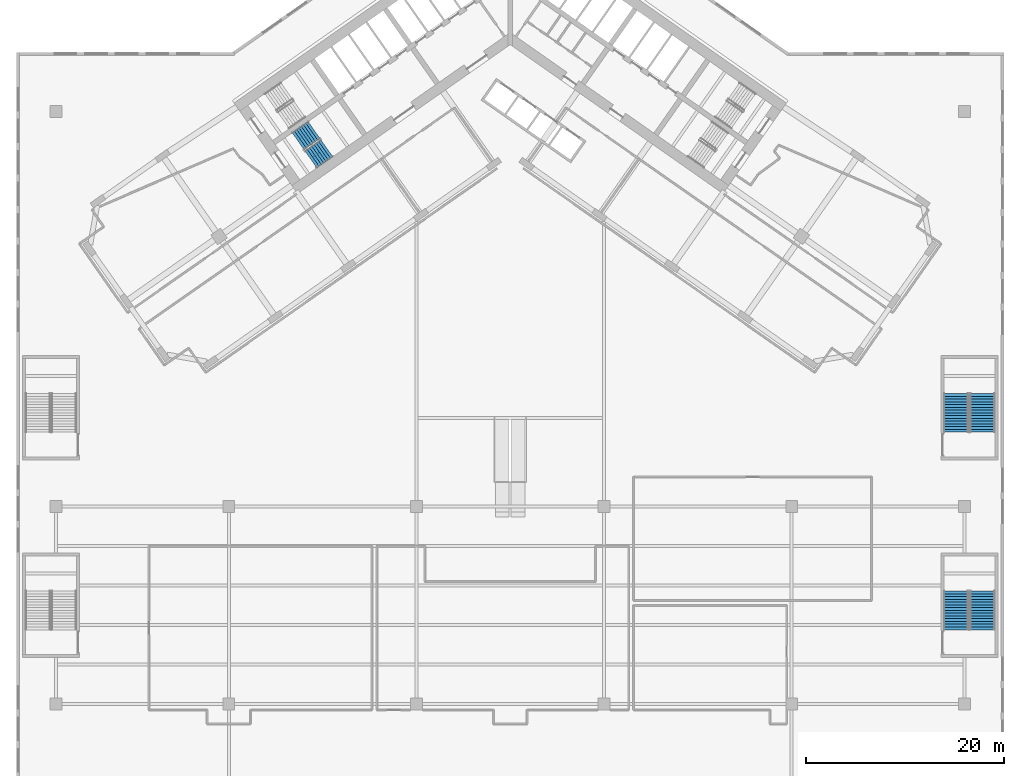
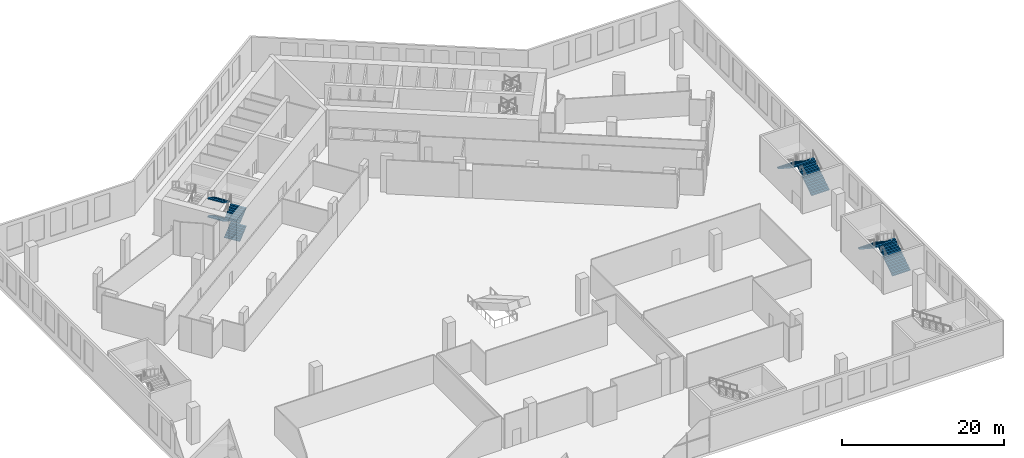
# One storey, part 15 of 26: 8 stair flights, 3 elements without a shape of their own.
"""IFC4 building model written with IfcOpenShell, lengths in metres."""

from ifc_helpers import new_model, si_unit, direction, frame, origin, place, context, subcontext, project, spatial, polyline, outline, extrude, material, type_object, element, aggregate, save


model = new_model("IFC4")

# Units and contexts
model_context = context("Model", 3, precision=1e-05, world=origin(), true_north=direction((0.0, 1.0)))
body_context = subcontext(model_context, "Body", "Model", "MODEL_VIEW")
ifc_project = project(units=[si_unit("LENGTHUNIT", "METRE"), si_unit("AREAUNIT", "SQUARE_METRE"), si_unit("VOLUMEUNIT", "CUBIC_METRE"), si_unit("PLANEANGLEUNIT", "RADIAN"), si_unit("MASSUNIT", "GRAM", prefix="KILO")], contexts=[model_context])

# Site, building, storey
site_placement = place(None, origin())
site = spatial("IfcSite", under=ifc_project, at=site_placement, CompositionType="ELEMENT")
building_placement = place(site_placement, origin())
building = spatial("IfcBuilding", under=site, at=building_placement, Name="Tel Ilan Convention Tower", CompositionType="ELEMENT")
storey_placement = place(building_placement, frame((0.0, 0.0, 37.5)))
storey = spatial("IfcBuildingStorey", under=building, at=storey_placement, Name="L05", CompositionType="ELEMENT", Elevation=37.5)

# Stair, stair flights
ifc_material_1 = material(Name="Concrete C40/50", Category="concrete")
stair_type_1 = type_object("IfcStairType", Name="Pressurised Exit Stair 32 risers 172 mm", PredefinedType="HALF_TURN_STAIR", material=ifc_material_1)
stair_1_placement = place(storey_placement, origin())
stair_1 = element("IfcStair", 1, at=stair_1_placement, inside=storey, type_object=stair_type_1, Name="L05 Pressurised Stair S2", PredefinedType="HALF_TURN_STAIR")
ifc_material_2 = material(Name="Precast Concrete C40/50", Category="concrete")
stair_flight_type_1 = type_object("IfcStairFlightType", Name="Concrete Stair Flight 2100 mm 32 risers 172 mm", PredefinedType="STRAIGHT", material=ifc_material_2)
stair_flight_1_placement = place(storey_placement, frame((-20.179931640625, -12.848388671875, 0.0), z_axis=(0.0, 0.0, 1.0), x_axis=(0.819152044289, 0.573576436351, 0.0)))
stair_flight_1 = element("IfcStairFlight", 2, at=stair_flight_1_placement, type_object=stair_flight_type_1, Name="S2 flight 1", NumberOfRisers=8, NumberOfTreads=7, PredefinedType="STRAIGHT", RiserHeight=0.171875, TreadLength=0.28, context=body_context, shape_type="SweptSolid", body=[
    extrude(outline(polyline([(0.0, 0.0), (0.0, 0.171875), (0.280029296875, 0.171875), (0.280029296875, 0.34375), (0.56005859375, 0.34375), (0.56005859375, 0.515625), (0.840087890625, 0.515625), (0.840087890625, 0.6875), (1.1201171875, 0.6875), (1.1201171875, 0.859375), (1.39990234375, 0.859375), (1.39990234375, 1.03125), (1.679931640625, 1.03125), (1.679931640625, 1.203125), (1.9599609375, 1.203125), (1.9599609375, 1.375), (1.9599609375, 1.02734375), (0.28662109375, 0.0), (0.0, 0.0)])), frame((0.0, -0.100341796875, 0.0), z_axis=(0.0, -1.0, 0.0), x_axis=(1.0, 0.0, 0.0)), (0.0, 0.0, 1.0), 0.94970703125),
    extrude(outline(polyline([(0.0, 0.0), (0.0, 0.171875), (0.280029296875, 0.171875), (0.280029296875, 0.34375), (0.56005859375, 0.34375), (0.56005859375, 0.515625), (0.840087890625, 0.515625), (0.840087890625, 0.6875), (1.1201171875, 0.6875), (1.1201171875, 0.859375), (1.39990234375, 0.859375), (1.39990234375, 1.03125), (1.679931640625, 1.03125), (1.679931640625, 1.203125), (1.9599609375, 1.203125), (1.9599609375, 1.375), (1.9599609375, 1.02734375), (0.28662109375, 0.0), (0.0, 0.0)])), frame((0.0, -0.000244140625, 0.0), z_axis=(0.0, -1.0, 0.0), x_axis=(1.0, 0.0, 0.0)), (0.0, 0.0, 1.0), 0.099609375),
    extrude(outline(polyline([(0.0, 0.0), (0.0, 0.171875), (0.280029296875, 0.171875), (0.280029296875, 0.34375), (0.56005859375, 0.34375), (0.56005859375, 0.515625), (0.840087890625, 0.515625), (0.840087890625, 0.6875), (1.1201171875, 0.6875), (1.1201171875, 0.859375), (1.39990234375, 0.859375), (1.39990234375, 1.03125), (1.679931640625, 1.03125), (1.679931640625, 1.203125), (1.9599609375, 1.203125), (1.9599609375, 1.375), (1.9599609375, 1.02734375), (0.28662109375, 0.0), (0.0, 0.0)])), frame((0.0, 0.099853515625, 0.0), z_axis=(0.0, -1.0, 0.0), x_axis=(1.0, 0.0, 0.0)), (0.0, 0.0, 1.0), 0.099609375),
    extrude(outline(polyline([(0.0, 0.0), (0.0, 0.171875), (0.280029296875, 0.171875), (0.280029296875, 0.34375), (0.56005859375, 0.34375), (0.56005859375, 0.515625), (0.840087890625, 0.515625), (0.840087890625, 0.6875), (1.1201171875, 0.6875), (1.1201171875, 0.859375), (1.39990234375, 0.859375), (1.39990234375, 1.03125), (1.679931640625, 1.03125), (1.679931640625, 1.203125), (1.9599609375, 1.203125), (1.9599609375, 1.375), (1.9599609375, 1.02734375), (0.28662109375, 0.0), (0.0, 0.0)])), frame((0.0, 1.050048828125, 0.0), z_axis=(0.0, -1.0, 0.0), x_axis=(1.0, 0.0, 0.0)), (0.0, 0.0, 1.0), 0.94970703125),
])
stair_flight_2_placement = place(storey_placement, frame((-19.864990234375, -9.881103515625, 1.375), z_axis=(0.0, 0.0, 1.0), x_axis=(-0.819152044289, -0.573576436351, 0.0)))
stair_flight_2 = element("IfcStairFlight", 3, at=stair_flight_2_placement, type_object=stair_flight_type_1, Name="S2 flight 2", NumberOfRisers=8, NumberOfTreads=7, PredefinedType="STRAIGHT", RiserHeight=0.171875, TreadLength=0.28, context=body_context, shape_type="SweptSolid", body=[
    extrude(outline(polyline([(0.0, 0.0), (0.0, 0.171875), (0.280029296875, 0.171875), (0.280029296875, 0.34375), (0.56005859375, 0.34375), (0.56005859375, 0.515625), (0.840087890625, 0.515625), (0.840087890625, 0.6875), (1.1201171875, 0.6875), (1.1201171875, 0.859375), (1.39990234375, 0.859375), (1.39990234375, 1.03125), (1.679931640625, 1.03125), (1.679931640625, 1.203125), (1.9599609375, 1.203125), (1.9599609375, 1.375), (1.9599609375, 1.02734375), (0.28662109375, 0.0), (0.0, 0.0)])), frame((0.0, -0.100341796875, 0.0), z_axis=(0.0, -1.0, 0.0), x_axis=(1.0, 0.0, 0.0)), (0.0, 0.0, 1.0), 0.94970703125),
    extrude(outline(polyline([(0.0, 0.0), (0.0, 0.171875), (0.280029296875, 0.171875), (0.280029296875, 0.34375), (0.56005859375, 0.34375), (0.56005859375, 0.515625), (0.840087890625, 0.515625), (0.840087890625, 0.6875), (1.1201171875, 0.6875), (1.1201171875, 0.859375), (1.39990234375, 0.859375), (1.39990234375, 1.03125), (1.679931640625, 1.03125), (1.679931640625, 1.203125), (1.9599609375, 1.203125), (1.9599609375, 1.375), (1.9599609375, 1.02734375), (0.28662109375, 0.0), (0.0, 0.0)])), frame((0.0, -0.000244140625, 0.0), z_axis=(0.0, -1.0, 0.0), x_axis=(1.0, 0.0, 0.0)), (0.0, 0.0, 1.0), 0.099609375),
    extrude(outline(polyline([(0.0, 0.0), (0.0, 0.171875), (0.280029296875, 0.171875), (0.280029296875, 0.34375), (0.56005859375, 0.34375), (0.56005859375, 0.515625), (0.840087890625, 0.515625), (0.840087890625, 0.6875), (1.1201171875, 0.6875), (1.1201171875, 0.859375), (1.39990234375, 0.859375), (1.39990234375, 1.03125), (1.679931640625, 1.03125), (1.679931640625, 1.203125), (1.9599609375, 1.203125), (1.9599609375, 1.375), (1.9599609375, 1.02734375), (0.28662109375, 0.0), (0.0, 0.0)])), frame((0.0, 0.099853515625, 0.0), z_axis=(0.0, -1.0, 0.0), x_axis=(1.0, 0.0, 0.0)), (0.0, 0.0, 1.0), 0.099609375),
    extrude(outline(polyline([(0.0, 0.0), (0.0, 0.171875), (0.280029296875, 0.171875), (0.280029296875, 0.34375), (0.56005859375, 0.34375), (0.56005859375, 0.515625), (0.840087890625, 0.515625), (0.840087890625, 0.6875), (1.1201171875, 0.6875), (1.1201171875, 0.859375), (1.39990234375, 0.859375), (1.39990234375, 1.03125), (1.679931640625, 1.03125), (1.679931640625, 1.203125), (1.9599609375, 1.203125), (1.9599609375, 1.375), (1.9599609375, 1.02734375), (0.28662109375, 0.0), (0.0, 0.0)])), frame((0.0, 1.050048828125, 0.0), z_axis=(0.0, -1.0, 0.0), x_axis=(1.0, 0.0, 0.0)), (0.0, 0.0, 1.0), 0.94970703125),
])
stair_flight_3_placement = place(storey_placement, frame((-20.179931640625, -12.848388671875, 2.75), z_axis=(0.0, 0.0, 1.0), x_axis=(0.819152044289, 0.573576436351, 0.0)))
stair_flight_3 = element("IfcStairFlight", 4, at=stair_flight_3_placement, type_object=stair_flight_type_1, Name="S2 flight 3", NumberOfRisers=8, NumberOfTreads=7, PredefinedType="STRAIGHT", RiserHeight=0.171875, TreadLength=0.28, context=body_context, shape_type="SweptSolid", body=[
    extrude(outline(polyline([(0.0, 0.0), (0.0, 0.171875), (0.280029296875, 0.171875), (0.280029296875, 0.34375), (0.56005859375, 0.34375), (0.56005859375, 0.515625), (0.840087890625, 0.515625), (0.840087890625, 0.6875), (1.1201171875, 0.6875), (1.1201171875, 0.859375), (1.39990234375, 0.859375), (1.39990234375, 1.03125), (1.679931640625, 1.03125), (1.679931640625, 1.203125), (1.9599609375, 1.203125), (1.9599609375, 1.375), (1.9599609375, 1.02734375), (0.28662109375, 0.0), (0.0, 0.0)])), frame((0.0, -0.100341796875, 0.0), z_axis=(0.0, -1.0, 0.0), x_axis=(1.0, 0.0, 0.0)), (0.0, 0.0, 1.0), 0.94970703125),
    extrude(outline(polyline([(0.0, 0.0), (0.0, 0.171875), (0.280029296875, 0.171875), (0.280029296875, 0.34375), (0.56005859375, 0.34375), (0.56005859375, 0.515625), (0.840087890625, 0.515625), (0.840087890625, 0.6875), (1.1201171875, 0.6875), (1.1201171875, 0.859375), (1.39990234375, 0.859375), (1.39990234375, 1.03125), (1.679931640625, 1.03125), (1.679931640625, 1.203125), (1.9599609375, 1.203125), (1.9599609375, 1.375), (1.9599609375, 1.02734375), (0.28662109375, 0.0), (0.0, 0.0)])), frame((0.0, -0.000244140625, 0.0), z_axis=(0.0, -1.0, 0.0), x_axis=(1.0, 0.0, 0.0)), (0.0, 0.0, 1.0), 0.099609375),
    extrude(outline(polyline([(0.0, 0.0), (0.0, 0.171875), (0.280029296875, 0.171875), (0.280029296875, 0.34375), (0.56005859375, 0.34375), (0.56005859375, 0.515625), (0.840087890625, 0.515625), (0.840087890625, 0.6875), (1.1201171875, 0.6875), (1.1201171875, 0.859375), (1.39990234375, 0.859375), (1.39990234375, 1.03125), (1.679931640625, 1.03125), (1.679931640625, 1.203125), (1.9599609375, 1.203125), (1.9599609375, 1.375), (1.9599609375, 1.02734375), (0.28662109375, 0.0), (0.0, 0.0)])), frame((0.0, 0.099853515625, 0.0), z_axis=(0.0, -1.0, 0.0), x_axis=(1.0, 0.0, 0.0)), (0.0, 0.0, 1.0), 0.099609375),
    extrude(outline(polyline([(0.0, 0.0), (0.0, 0.171875), (0.280029296875, 0.171875), (0.280029296875, 0.34375), (0.56005859375, 0.34375), (0.56005859375, 0.515625), (0.840087890625, 0.515625), (0.840087890625, 0.6875), (1.1201171875, 0.6875), (1.1201171875, 0.859375), (1.39990234375, 0.859375), (1.39990234375, 1.03125), (1.679931640625, 1.03125), (1.679931640625, 1.203125), (1.9599609375, 1.203125), (1.9599609375, 1.375), (1.9599609375, 1.02734375), (0.28662109375, 0.0), (0.0, 0.0)])), frame((0.0, 1.050048828125, 0.0), z_axis=(0.0, -1.0, 0.0), x_axis=(1.0, 0.0, 0.0)), (0.0, 0.0, 1.0), 0.94970703125),
])
stair_flight_4_placement = place(storey_placement, frame((-19.864990234375, -9.881103515625, 4.125), z_axis=(0.0, 0.0, 1.0), x_axis=(-0.819152044289, -0.573576436351, 0.0)))
stair_flight_4 = element("IfcStairFlight", 5, at=stair_flight_4_placement, type_object=stair_flight_type_1, Name="S2 flight 4", NumberOfRisers=8, NumberOfTreads=7, PredefinedType="STRAIGHT", RiserHeight=0.171875, TreadLength=0.28, context=body_context, shape_type="SweptSolid", body=[
    extrude(outline(polyline([(0.0, 0.0), (0.0, 0.171875), (0.280029296875, 0.171875), (0.280029296875, 0.34375), (0.56005859375, 0.34375), (0.56005859375, 0.515625), (0.840087890625, 0.515625), (0.840087890625, 0.6875), (1.1201171875, 0.6875), (1.1201171875, 0.859375), (1.39990234375, 0.859375), (1.39990234375, 1.03125), (1.679931640625, 1.03125), (1.679931640625, 1.203125), (1.9599609375, 1.203125), (1.9599609375, 1.375), (1.9599609375, 1.02734375), (0.28662109375, 0.0), (0.0, 0.0)])), frame((0.0, -0.100341796875, 0.0), z_axis=(0.0, -1.0, 0.0), x_axis=(1.0, 0.0, 0.0)), (0.0, 0.0, 1.0), 0.94970703125),
    extrude(outline(polyline([(0.0, 0.0), (0.0, 0.171875), (0.280029296875, 0.171875), (0.280029296875, 0.34375), (0.56005859375, 0.34375), (0.56005859375, 0.515625), (0.840087890625, 0.515625), (0.840087890625, 0.6875), (1.1201171875, 0.6875), (1.1201171875, 0.859375), (1.39990234375, 0.859375), (1.39990234375, 1.03125), (1.679931640625, 1.03125), (1.679931640625, 1.203125), (1.9599609375, 1.203125), (1.9599609375, 1.375), (1.9599609375, 1.02734375), (0.28662109375, 0.0), (0.0, 0.0)])), frame((0.0, -0.000244140625, 0.0), z_axis=(0.0, -1.0, 0.0), x_axis=(1.0, 0.0, 0.0)), (0.0, 0.0, 1.0), 0.099609375),
    extrude(outline(polyline([(0.0, 0.0), (0.0, 0.171875), (0.280029296875, 0.171875), (0.280029296875, 0.34375), (0.56005859375, 0.34375), (0.56005859375, 0.515625), (0.840087890625, 0.515625), (0.840087890625, 0.6875), (1.1201171875, 0.6875), (1.1201171875, 0.859375), (1.39990234375, 0.859375), (1.39990234375, 1.03125), (1.679931640625, 1.03125), (1.679931640625, 1.203125), (1.9599609375, 1.203125), (1.9599609375, 1.375), (1.9599609375, 1.02734375), (0.28662109375, 0.0), (0.0, 0.0)])), frame((0.0, 0.099853515625, 0.0), z_axis=(0.0, -1.0, 0.0), x_axis=(1.0, 0.0, 0.0)), (0.0, 0.0, 1.0), 0.099609375),
    extrude(outline(polyline([(0.0, 0.0), (0.0, 0.171875), (0.280029296875, 0.171875), (0.280029296875, 0.34375), (0.56005859375, 0.34375), (0.56005859375, 0.515625), (0.840087890625, 0.515625), (0.840087890625, 0.6875), (1.1201171875, 0.6875), (1.1201171875, 0.859375), (1.39990234375, 0.859375), (1.39990234375, 1.03125), (1.679931640625, 1.03125), (1.679931640625, 1.203125), (1.9599609375, 1.203125), (1.9599609375, 1.375), (1.9599609375, 1.02734375), (0.28662109375, 0.0), (0.0, 0.0)])), frame((0.0, 1.050048828125, 0.0), z_axis=(0.0, -1.0, 0.0), x_axis=(1.0, 0.0, 0.0)), (0.0, 0.0, 1.0), 0.94970703125),
])
aggregate(stair_1, [stair_flight_1, stair_flight_2, stair_flight_3, stair_flight_4])

ifc_material_3 = material(Name="Concrete C40/50", Category="concrete")
stair_type_2 = type_object("IfcStairType", Name="Pressurised Exit Stair 30 risers 183 mm", PredefinedType="HALF_TURN_STAIR", material=ifc_material_3)
stair_2_placement = place(storey_placement, origin())
stair_2 = element("IfcStair", 6, at=stair_2_placement, inside=storey, type_object=stair_type_2, Name="L05 Podium Exit Stair P6", PredefinedType="HALF_TURN_STAIR")
ifc_material_4 = material(Name="Precast Concrete C40/50", Category="concrete")
stair_flight_type_2 = type_object("IfcStairFlightType", Name="Concrete Stair Flight 2525 mm 30 risers 183 mm", PredefinedType="STRAIGHT", material=ifc_material_4)
stair_flight_5_placement = place(storey_placement, frame((47.83740234375, -60.47509765625, 0.0), z_axis=(0.0, 0.0, 1.0), x_axis=(0.0, 1.0, 0.0)))
stair_flight_5 = element("IfcStairFlight", 7, at=stair_flight_5_placement, type_object=stair_flight_type_2, Name="P6 flight 1", NumberOfRisers=15, NumberOfTreads=14, PredefinedType="STRAIGHT", RiserHeight=0.183333333, TreadLength=0.28, context=body_context, shape_type="SweptSolid", body=[
    extrude(outline(polyline([(0.0, 0.0), (0.0, 0.183349609375), (0.280029296875, 0.183349609375), (0.280029296875, 0.36669921875), (0.56005859375, 0.36669921875), (0.56005859375, 0.550048828125), (0.840087890625, 0.550048828125), (0.840087890625, 0.7333984375), (1.1201171875, 0.7333984375), (1.1201171875, 0.916748046875), (1.39990234375, 0.916748046875), (1.39990234375, 1.10009765625), (1.679931640625, 1.10009765625), (1.679931640625, 1.283447265625), (1.9599609375, 1.283447265625), (1.9599609375, 1.466552734375), (2.239990234375, 1.466552734375), (2.239990234375, 1.64990234375), (2.52001953125, 1.64990234375), (2.52001953125, 1.833251953125), (2.800048828125, 1.833251953125), (2.800048828125, 2.0166015625), (3.080078125, 2.0166015625), (3.080078125, 2.199951171875), (3.360107421875, 2.199951171875), (3.360107421875, 2.38330078125), (3.639892578125, 2.38330078125), (3.639892578125, 2.566650390625), (3.919921875, 2.566650390625), (3.919921875, 2.75), (3.919921875, 2.387451171875), (0.273681640625, 0.0), (0.0, 0.0)])), frame((0.0, -0.100341796875, 0.0), z_axis=(0.0, -1.0, 0.0), x_axis=(1.0, 0.0, 0.0)), (0.0, 0.0, 1.0), 1.162109375),
    extrude(outline(polyline([(0.0, 0.0), (0.0, 0.183349609375), (0.280029296875, 0.183349609375), (0.280029296875, 0.36669921875), (0.56005859375, 0.36669921875), (0.56005859375, 0.550048828125), (0.840087890625, 0.550048828125), (0.840087890625, 0.7333984375), (1.1201171875, 0.7333984375), (1.1201171875, 0.916748046875), (1.39990234375, 0.916748046875), (1.39990234375, 1.10009765625), (1.679931640625, 1.10009765625), (1.679931640625, 1.283447265625), (1.9599609375, 1.283447265625), (1.9599609375, 1.466552734375), (2.239990234375, 1.466552734375), (2.239990234375, 1.64990234375), (2.52001953125, 1.64990234375), (2.52001953125, 1.833251953125), (2.800048828125, 1.833251953125), (2.800048828125, 2.0166015625), (3.080078125, 2.0166015625), (3.080078125, 2.199951171875), (3.360107421875, 2.199951171875), (3.360107421875, 2.38330078125), (3.639892578125, 2.38330078125), (3.639892578125, 2.566650390625), (3.919921875, 2.566650390625), (3.919921875, 2.75), (3.919921875, 2.387451171875), (0.273681640625, 0.0), (0.0, 0.0)])), frame((0.0, -0.000244140625, 0.0), z_axis=(0.0, -1.0, 0.0), x_axis=(1.0, 0.0, 0.0)), (0.0, 0.0, 1.0), 0.099609375),
    extrude(outline(polyline([(0.0, 0.0), (0.0, 0.183349609375), (0.280029296875, 0.183349609375), (0.280029296875, 0.36669921875), (0.56005859375, 0.36669921875), (0.56005859375, 0.550048828125), (0.840087890625, 0.550048828125), (0.840087890625, 0.7333984375), (1.1201171875, 0.7333984375), (1.1201171875, 0.916748046875), (1.39990234375, 0.916748046875), (1.39990234375, 1.10009765625), (1.679931640625, 1.10009765625), (1.679931640625, 1.283447265625), (1.9599609375, 1.283447265625), (1.9599609375, 1.466552734375), (2.239990234375, 1.466552734375), (2.239990234375, 1.64990234375), (2.52001953125, 1.64990234375), (2.52001953125, 1.833251953125), (2.800048828125, 1.833251953125), (2.800048828125, 2.0166015625), (3.080078125, 2.0166015625), (3.080078125, 2.199951171875), (3.360107421875, 2.199951171875), (3.360107421875, 2.38330078125), (3.639892578125, 2.38330078125), (3.639892578125, 2.566650390625), (3.919921875, 2.566650390625), (3.919921875, 2.75), (3.919921875, 2.387451171875), (0.273681640625, 0.0), (0.0, 0.0)])), frame((0.0, 0.099853515625, 0.0), z_axis=(0.0, -1.0, 0.0), x_axis=(1.0, 0.0, 0.0)), (0.0, 0.0, 1.0), 0.099609375),
    extrude(outline(polyline([(0.0, 0.0), (0.0, 0.183349609375), (0.280029296875, 0.183349609375), (0.280029296875, 0.36669921875), (0.56005859375, 0.36669921875), (0.56005859375, 0.550048828125), (0.840087890625, 0.550048828125), (0.840087890625, 0.7333984375), (1.1201171875, 0.7333984375), (1.1201171875, 0.916748046875), (1.39990234375, 0.916748046875), (1.39990234375, 1.10009765625), (1.679931640625, 1.10009765625), (1.679931640625, 1.283447265625), (1.9599609375, 1.283447265625), (1.9599609375, 1.466552734375), (2.239990234375, 1.466552734375), (2.239990234375, 1.64990234375), (2.52001953125, 1.64990234375), (2.52001953125, 1.833251953125), (2.800048828125, 1.833251953125), (2.800048828125, 2.0166015625), (3.080078125, 2.0166015625), (3.080078125, 2.199951171875), (3.360107421875, 2.199951171875), (3.360107421875, 2.38330078125), (3.639892578125, 2.38330078125), (3.639892578125, 2.566650390625), (3.919921875, 2.566650390625), (3.919921875, 2.75), (3.919921875, 2.387451171875), (0.273681640625, 0.0), (0.0, 0.0)])), frame((0.0, 1.262451171875, 0.0), z_axis=(0.0, -1.0, 0.0), x_axis=(1.0, 0.0, 0.0)), (0.0, 0.0, 1.0), 1.162109375),
])
stair_flight_6_placement = place(storey_placement, frame((45.16259765625, -56.554931640625, 2.75), z_axis=(0.0, 0.0, 1.0), x_axis=(0.0, -1.0, 0.0)))
stair_flight_6 = element("IfcStairFlight", 8, at=stair_flight_6_placement, type_object=stair_flight_type_2, Name="P6 flight 2", NumberOfRisers=15, NumberOfTreads=14, PredefinedType="STRAIGHT", RiserHeight=0.183333333, TreadLength=0.28, context=body_context, shape_type="SweptSolid", body=[
    extrude(outline(polyline([(0.0, 0.0), (0.0, 0.183349609375), (0.280029296875, 0.183349609375), (0.280029296875, 0.36669921875), (0.56005859375, 0.36669921875), (0.56005859375, 0.550048828125), (0.840087890625, 0.550048828125), (0.840087890625, 0.7333984375), (1.1201171875, 0.7333984375), (1.1201171875, 0.916748046875), (1.39990234375, 0.916748046875), (1.39990234375, 1.10009765625), (1.679931640625, 1.10009765625), (1.679931640625, 1.283447265625), (1.9599609375, 1.283447265625), (1.9599609375, 1.466552734375), (2.239990234375, 1.466552734375), (2.239990234375, 1.64990234375), (2.52001953125, 1.64990234375), (2.52001953125, 1.833251953125), (2.800048828125, 1.833251953125), (2.800048828125, 2.0166015625), (3.080078125, 2.0166015625), (3.080078125, 2.199951171875), (3.360107421875, 2.199951171875), (3.360107421875, 2.38330078125), (3.639892578125, 2.38330078125), (3.639892578125, 2.566650390625), (3.919921875, 2.566650390625), (3.919921875, 2.75), (3.919921875, 2.387451171875), (0.273681640625, 0.0), (0.0, 0.0)])), frame((0.0, -0.100341796875, 0.0), z_axis=(0.0, -1.0, 0.0), x_axis=(1.0, 0.0, 0.0)), (0.0, 0.0, 1.0), 1.162109375),
    extrude(outline(polyline([(0.0, 0.0), (0.0, 0.183349609375), (0.280029296875, 0.183349609375), (0.280029296875, 0.36669921875), (0.56005859375, 0.36669921875), (0.56005859375, 0.550048828125), (0.840087890625, 0.550048828125), (0.840087890625, 0.7333984375), (1.1201171875, 0.7333984375), (1.1201171875, 0.916748046875), (1.39990234375, 0.916748046875), (1.39990234375, 1.10009765625), (1.679931640625, 1.10009765625), (1.679931640625, 1.283447265625), (1.9599609375, 1.283447265625), (1.9599609375, 1.466552734375), (2.239990234375, 1.466552734375), (2.239990234375, 1.64990234375), (2.52001953125, 1.64990234375), (2.52001953125, 1.833251953125), (2.800048828125, 1.833251953125), (2.800048828125, 2.0166015625), (3.080078125, 2.0166015625), (3.080078125, 2.199951171875), (3.360107421875, 2.199951171875), (3.360107421875, 2.38330078125), (3.639892578125, 2.38330078125), (3.639892578125, 2.566650390625), (3.919921875, 2.566650390625), (3.919921875, 2.75), (3.919921875, 2.387451171875), (0.273681640625, 0.0), (0.0, 0.0)])), frame((0.0, -0.000244140625, 0.0), z_axis=(0.0, -1.0, 0.0), x_axis=(1.0, 0.0, 0.0)), (0.0, 0.0, 1.0), 0.099609375),
    extrude(outline(polyline([(0.0, 0.0), (0.0, 0.183349609375), (0.280029296875, 0.183349609375), (0.280029296875, 0.36669921875), (0.56005859375, 0.36669921875), (0.56005859375, 0.550048828125), (0.840087890625, 0.550048828125), (0.840087890625, 0.7333984375), (1.1201171875, 0.7333984375), (1.1201171875, 0.916748046875), (1.39990234375, 0.916748046875), (1.39990234375, 1.10009765625), (1.679931640625, 1.10009765625), (1.679931640625, 1.283447265625), (1.9599609375, 1.283447265625), (1.9599609375, 1.466552734375), (2.239990234375, 1.466552734375), (2.239990234375, 1.64990234375), (2.52001953125, 1.64990234375), (2.52001953125, 1.833251953125), (2.800048828125, 1.833251953125), (2.800048828125, 2.0166015625), (3.080078125, 2.0166015625), (3.080078125, 2.199951171875), (3.360107421875, 2.199951171875), (3.360107421875, 2.38330078125), (3.639892578125, 2.38330078125), (3.639892578125, 2.566650390625), (3.919921875, 2.566650390625), (3.919921875, 2.75), (3.919921875, 2.387451171875), (0.273681640625, 0.0), (0.0, 0.0)])), frame((0.0, 0.099853515625, 0.0), z_axis=(0.0, -1.0, 0.0), x_axis=(1.0, 0.0, 0.0)), (0.0, 0.0, 1.0), 0.099609375),
    extrude(outline(polyline([(0.0, 0.0), (0.0, 0.183349609375), (0.280029296875, 0.183349609375), (0.280029296875, 0.36669921875), (0.56005859375, 0.36669921875), (0.56005859375, 0.550048828125), (0.840087890625, 0.550048828125), (0.840087890625, 0.7333984375), (1.1201171875, 0.7333984375), (1.1201171875, 0.916748046875), (1.39990234375, 0.916748046875), (1.39990234375, 1.10009765625), (1.679931640625, 1.10009765625), (1.679931640625, 1.283447265625), (1.9599609375, 1.283447265625), (1.9599609375, 1.466552734375), (2.239990234375, 1.466552734375), (2.239990234375, 1.64990234375), (2.52001953125, 1.64990234375), (2.52001953125, 1.833251953125), (2.800048828125, 1.833251953125), (2.800048828125, 2.0166015625), (3.080078125, 2.0166015625), (3.080078125, 2.199951171875), (3.360107421875, 2.199951171875), (3.360107421875, 2.38330078125), (3.639892578125, 2.38330078125), (3.639892578125, 2.566650390625), (3.919921875, 2.566650390625), (3.919921875, 2.75), (3.919921875, 2.387451171875), (0.273681640625, 0.0), (0.0, 0.0)])), frame((0.0, 1.262451171875, 0.0), z_axis=(0.0, -1.0, 0.0), x_axis=(1.0, 0.0, 0.0)), (0.0, 0.0, 1.0), 1.162109375),
])
aggregate(stair_2, [stair_flight_5, stair_flight_6])

stair_3_placement = place(storey_placement, origin())
stair_3 = element("IfcStair", 9, at=stair_3_placement, inside=storey, type_object=stair_type_2, Name="L05 Podium Exit Stair P8", PredefinedType="HALF_TURN_STAIR")
stair_flight_7_placement = place(storey_placement, frame((47.83740234375, -40.47509765625, 0.0), z_axis=(0.0, 0.0, 1.0), x_axis=(0.0, 1.0, 0.0)))
stair_flight_7 = element("IfcStairFlight", 10, at=stair_flight_7_placement, type_object=stair_flight_type_2, Name="P8 flight 1", NumberOfRisers=15, NumberOfTreads=14, PredefinedType="STRAIGHT", RiserHeight=0.183333333, TreadLength=0.28, context=body_context, shape_type="SweptSolid", body=[
    extrude(outline(polyline([(0.0, 0.0), (0.0, 0.183349609375), (0.280029296875, 0.183349609375), (0.280029296875, 0.36669921875), (0.56005859375, 0.36669921875), (0.56005859375, 0.550048828125), (0.840087890625, 0.550048828125), (0.840087890625, 0.7333984375), (1.1201171875, 0.7333984375), (1.1201171875, 0.916748046875), (1.39990234375, 0.916748046875), (1.39990234375, 1.10009765625), (1.679931640625, 1.10009765625), (1.679931640625, 1.283447265625), (1.9599609375, 1.283447265625), (1.9599609375, 1.466552734375), (2.239990234375, 1.466552734375), (2.239990234375, 1.64990234375), (2.52001953125, 1.64990234375), (2.52001953125, 1.833251953125), (2.800048828125, 1.833251953125), (2.800048828125, 2.0166015625), (3.080078125, 2.0166015625), (3.080078125, 2.199951171875), (3.360107421875, 2.199951171875), (3.360107421875, 2.38330078125), (3.639892578125, 2.38330078125), (3.639892578125, 2.566650390625), (3.919921875, 2.566650390625), (3.919921875, 2.75), (3.919921875, 2.387451171875), (0.273681640625, 0.0), (0.0, 0.0)])), frame((0.0, -0.100341796875, 0.0), z_axis=(0.0, -1.0, 0.0), x_axis=(1.0, 0.0, 0.0)), (0.0, 0.0, 1.0), 1.162109375),
    extrude(outline(polyline([(0.0, 0.0), (0.0, 0.183349609375), (0.280029296875, 0.183349609375), (0.280029296875, 0.36669921875), (0.56005859375, 0.36669921875), (0.56005859375, 0.550048828125), (0.840087890625, 0.550048828125), (0.840087890625, 0.7333984375), (1.1201171875, 0.7333984375), (1.1201171875, 0.916748046875), (1.39990234375, 0.916748046875), (1.39990234375, 1.10009765625), (1.679931640625, 1.10009765625), (1.679931640625, 1.283447265625), (1.9599609375, 1.283447265625), (1.9599609375, 1.466552734375), (2.239990234375, 1.466552734375), (2.239990234375, 1.64990234375), (2.52001953125, 1.64990234375), (2.52001953125, 1.833251953125), (2.800048828125, 1.833251953125), (2.800048828125, 2.0166015625), (3.080078125, 2.0166015625), (3.080078125, 2.199951171875), (3.360107421875, 2.199951171875), (3.360107421875, 2.38330078125), (3.639892578125, 2.38330078125), (3.639892578125, 2.566650390625), (3.919921875, 2.566650390625), (3.919921875, 2.75), (3.919921875, 2.387451171875), (0.273681640625, 0.0), (0.0, 0.0)])), frame((0.0, -0.000244140625, 0.0), z_axis=(0.0, -1.0, 0.0), x_axis=(1.0, 0.0, 0.0)), (0.0, 0.0, 1.0), 0.099609375),
    extrude(outline(polyline([(0.0, 0.0), (0.0, 0.183349609375), (0.280029296875, 0.183349609375), (0.280029296875, 0.36669921875), (0.56005859375, 0.36669921875), (0.56005859375, 0.550048828125), (0.840087890625, 0.550048828125), (0.840087890625, 0.7333984375), (1.1201171875, 0.7333984375), (1.1201171875, 0.916748046875), (1.39990234375, 0.916748046875), (1.39990234375, 1.10009765625), (1.679931640625, 1.10009765625), (1.679931640625, 1.283447265625), (1.9599609375, 1.283447265625), (1.9599609375, 1.466552734375), (2.239990234375, 1.466552734375), (2.239990234375, 1.64990234375), (2.52001953125, 1.64990234375), (2.52001953125, 1.833251953125), (2.800048828125, 1.833251953125), (2.800048828125, 2.0166015625), (3.080078125, 2.0166015625), (3.080078125, 2.199951171875), (3.360107421875, 2.199951171875), (3.360107421875, 2.38330078125), (3.639892578125, 2.38330078125), (3.639892578125, 2.566650390625), (3.919921875, 2.566650390625), (3.919921875, 2.75), (3.919921875, 2.387451171875), (0.273681640625, 0.0), (0.0, 0.0)])), frame((0.0, 0.099853515625, 0.0), z_axis=(0.0, -1.0, 0.0), x_axis=(1.0, 0.0, 0.0)), (0.0, 0.0, 1.0), 0.099609375),
    extrude(outline(polyline([(0.0, 0.0), (0.0, 0.183349609375), (0.280029296875, 0.183349609375), (0.280029296875, 0.36669921875), (0.56005859375, 0.36669921875), (0.56005859375, 0.550048828125), (0.840087890625, 0.550048828125), (0.840087890625, 0.7333984375), (1.1201171875, 0.7333984375), (1.1201171875, 0.916748046875), (1.39990234375, 0.916748046875), (1.39990234375, 1.10009765625), (1.679931640625, 1.10009765625), (1.679931640625, 1.283447265625), (1.9599609375, 1.283447265625), (1.9599609375, 1.466552734375), (2.239990234375, 1.466552734375), (2.239990234375, 1.64990234375), (2.52001953125, 1.64990234375), (2.52001953125, 1.833251953125), (2.800048828125, 1.833251953125), (2.800048828125, 2.0166015625), (3.080078125, 2.0166015625), (3.080078125, 2.199951171875), (3.360107421875, 2.199951171875), (3.360107421875, 2.38330078125), (3.639892578125, 2.38330078125), (3.639892578125, 2.566650390625), (3.919921875, 2.566650390625), (3.919921875, 2.75), (3.919921875, 2.387451171875), (0.273681640625, 0.0), (0.0, 0.0)])), frame((0.0, 1.262451171875, 0.0), z_axis=(0.0, -1.0, 0.0), x_axis=(1.0, 0.0, 0.0)), (0.0, 0.0, 1.0), 1.162109375),
])
stair_flight_8_placement = place(storey_placement, frame((45.16259765625, -36.554931640625, 2.75), z_axis=(0.0, 0.0, 1.0), x_axis=(0.0, -1.0, 0.0)))
stair_flight_8 = element("IfcStairFlight", 11, at=stair_flight_8_placement, type_object=stair_flight_type_2, Name="P8 flight 2", NumberOfRisers=15, NumberOfTreads=14, PredefinedType="STRAIGHT", RiserHeight=0.183333333, TreadLength=0.28, context=body_context, shape_type="SweptSolid", body=[
    extrude(outline(polyline([(0.0, 0.0), (0.0, 0.183349609375), (0.280029296875, 0.183349609375), (0.280029296875, 0.36669921875), (0.56005859375, 0.36669921875), (0.56005859375, 0.550048828125), (0.840087890625, 0.550048828125), (0.840087890625, 0.7333984375), (1.1201171875, 0.7333984375), (1.1201171875, 0.916748046875), (1.39990234375, 0.916748046875), (1.39990234375, 1.10009765625), (1.679931640625, 1.10009765625), (1.679931640625, 1.283447265625), (1.9599609375, 1.283447265625), (1.9599609375, 1.466552734375), (2.239990234375, 1.466552734375), (2.239990234375, 1.64990234375), (2.52001953125, 1.64990234375), (2.52001953125, 1.833251953125), (2.800048828125, 1.833251953125), (2.800048828125, 2.0166015625), (3.080078125, 2.0166015625), (3.080078125, 2.199951171875), (3.360107421875, 2.199951171875), (3.360107421875, 2.38330078125), (3.639892578125, 2.38330078125), (3.639892578125, 2.566650390625), (3.919921875, 2.566650390625), (3.919921875, 2.75), (3.919921875, 2.387451171875), (0.273681640625, 0.0), (0.0, 0.0)])), frame((0.0, -0.100341796875, 0.0), z_axis=(0.0, -1.0, 0.0), x_axis=(1.0, 0.0, 0.0)), (0.0, 0.0, 1.0), 1.162109375),
    extrude(outline(polyline([(0.0, 0.0), (0.0, 0.183349609375), (0.280029296875, 0.183349609375), (0.280029296875, 0.36669921875), (0.56005859375, 0.36669921875), (0.56005859375, 0.550048828125), (0.840087890625, 0.550048828125), (0.840087890625, 0.7333984375), (1.1201171875, 0.7333984375), (1.1201171875, 0.916748046875), (1.39990234375, 0.916748046875), (1.39990234375, 1.10009765625), (1.679931640625, 1.10009765625), (1.679931640625, 1.283447265625), (1.9599609375, 1.283447265625), (1.9599609375, 1.466552734375), (2.239990234375, 1.466552734375), (2.239990234375, 1.64990234375), (2.52001953125, 1.64990234375), (2.52001953125, 1.833251953125), (2.800048828125, 1.833251953125), (2.800048828125, 2.0166015625), (3.080078125, 2.0166015625), (3.080078125, 2.199951171875), (3.360107421875, 2.199951171875), (3.360107421875, 2.38330078125), (3.639892578125, 2.38330078125), (3.639892578125, 2.566650390625), (3.919921875, 2.566650390625), (3.919921875, 2.75), (3.919921875, 2.387451171875), (0.273681640625, 0.0), (0.0, 0.0)])), frame((0.0, -0.000244140625, 0.0), z_axis=(0.0, -1.0, 0.0), x_axis=(1.0, 0.0, 0.0)), (0.0, 0.0, 1.0), 0.099609375),
    extrude(outline(polyline([(0.0, 0.0), (0.0, 0.183349609375), (0.280029296875, 0.183349609375), (0.280029296875, 0.36669921875), (0.56005859375, 0.36669921875), (0.56005859375, 0.550048828125), (0.840087890625, 0.550048828125), (0.840087890625, 0.7333984375), (1.1201171875, 0.7333984375), (1.1201171875, 0.916748046875), (1.39990234375, 0.916748046875), (1.39990234375, 1.10009765625), (1.679931640625, 1.10009765625), (1.679931640625, 1.283447265625), (1.9599609375, 1.283447265625), (1.9599609375, 1.466552734375), (2.239990234375, 1.466552734375), (2.239990234375, 1.64990234375), (2.52001953125, 1.64990234375), (2.52001953125, 1.833251953125), (2.800048828125, 1.833251953125), (2.800048828125, 2.0166015625), (3.080078125, 2.0166015625), (3.080078125, 2.199951171875), (3.360107421875, 2.199951171875), (3.360107421875, 2.38330078125), (3.639892578125, 2.38330078125), (3.639892578125, 2.566650390625), (3.919921875, 2.566650390625), (3.919921875, 2.75), (3.919921875, 2.387451171875), (0.273681640625, 0.0), (0.0, 0.0)])), frame((0.0, 0.099853515625, 0.0), z_axis=(0.0, -1.0, 0.0), x_axis=(1.0, 0.0, 0.0)), (0.0, 0.0, 1.0), 0.099609375),
    extrude(outline(polyline([(0.0, 0.0), (0.0, 0.183349609375), (0.280029296875, 0.183349609375), (0.280029296875, 0.36669921875), (0.56005859375, 0.36669921875), (0.56005859375, 0.550048828125), (0.840087890625, 0.550048828125), (0.840087890625, 0.7333984375), (1.1201171875, 0.7333984375), (1.1201171875, 0.916748046875), (1.39990234375, 0.916748046875), (1.39990234375, 1.10009765625), (1.679931640625, 1.10009765625), (1.679931640625, 1.283447265625), (1.9599609375, 1.283447265625), (1.9599609375, 1.466552734375), (2.239990234375, 1.466552734375), (2.239990234375, 1.64990234375), (2.52001953125, 1.64990234375), (2.52001953125, 1.833251953125), (2.800048828125, 1.833251953125), (2.800048828125, 2.0166015625), (3.080078125, 2.0166015625), (3.080078125, 2.199951171875), (3.360107421875, 2.199951171875), (3.360107421875, 2.38330078125), (3.639892578125, 2.38330078125), (3.639892578125, 2.566650390625), (3.919921875, 2.566650390625), (3.919921875, 2.75), (3.919921875, 2.387451171875), (0.273681640625, 0.0), (0.0, 0.0)])), frame((0.0, 1.262451171875, 0.0), z_axis=(0.0, -1.0, 0.0), x_axis=(1.0, 0.0, 0.0)), (0.0, 0.0, 1.0), 1.162109375),
])
aggregate(stair_3, [stair_flight_7, stair_flight_8])

save(model, "model.ifc")
